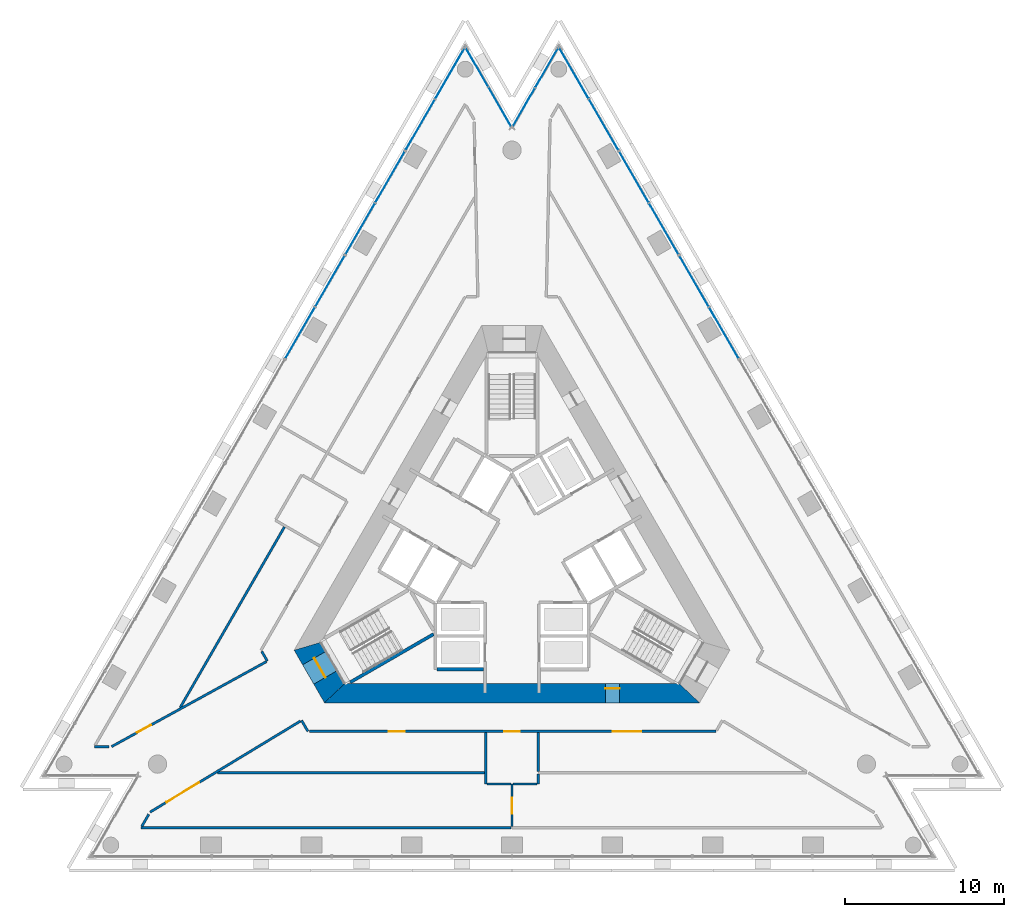
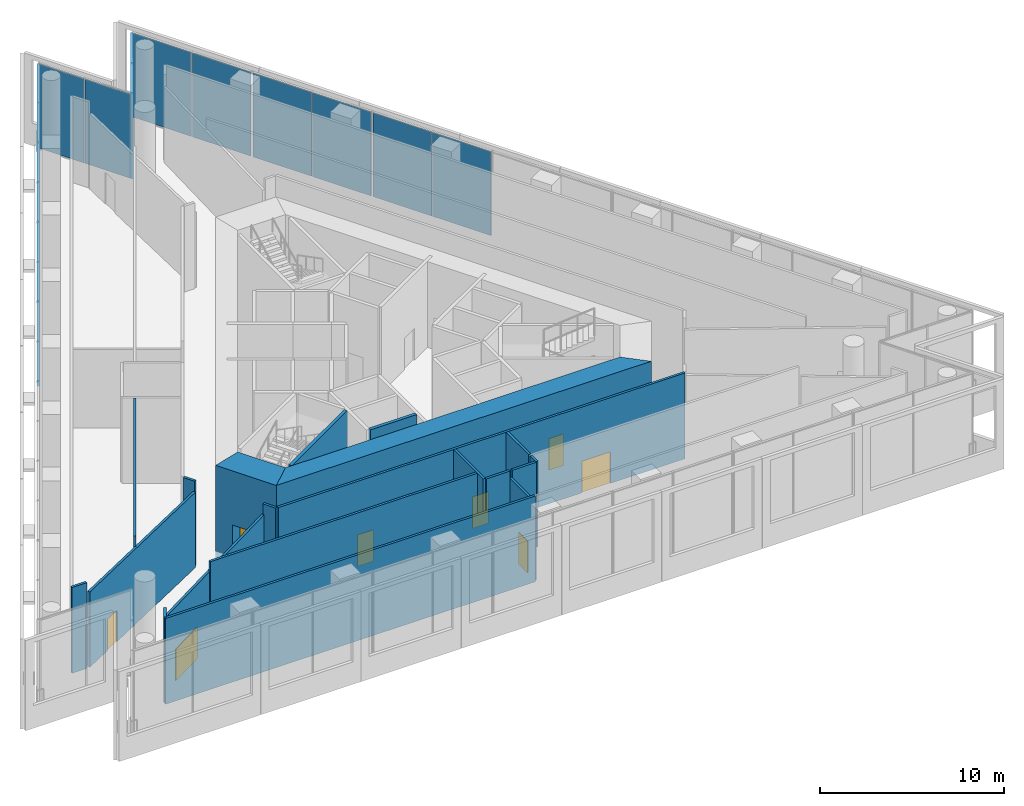
# One storey, part 10 of 18: 20 walls, 16 plates, 8 doors, 8 openings, 8 elements without a shape of their own.
"""IFC4 building model written with IfcOpenShell, lengths in metres."""

from ifc_helpers import new_model, si_unit, direction, frame, frame_2d, origin, origin_2d, place, context, subcontext, project, spatial, polyline, rectangle, outline, extrude, material, layer, layer_set, type_object, element, fill, aggregate, save


model = new_model("IFC4")

# Units and contexts
model_context = context("Model", 3, precision=1e-05, world=origin(), true_north=direction((0.0, 1.0)))
body_context = subcontext(model_context, "Body", "Model", "MODEL_VIEW")
ifc_project = project(units=[si_unit("LENGTHUNIT", "METRE"), si_unit("AREAUNIT", "SQUARE_METRE"), si_unit("VOLUMEUNIT", "CUBIC_METRE"), si_unit("PLANEANGLEUNIT", "RADIAN"), si_unit("MASSUNIT", "GRAM", prefix="KILO")], contexts=[model_context])

# Site, building, storey
site_placement = place(None, origin())
site = spatial("IfcSite", under=ifc_project, at=site_placement, CompositionType="ELEMENT")
building_placement = place(site_placement, origin())
building = spatial("IfcBuilding", under=site, at=building_placement, Name="Triada Interchange Tower", CompositionType="ELEMENT")
storey_placement = place(building_placement, frame((0.0, 0.0, 185.300048828125)))
storey = spatial("IfcBuildingStorey", under=building, at=storey_placement, Name="L43", CompositionType="ELEMENT", Elevation=185.300048828125)

# Curtain wall, plates
ifc_material_1 = material(Name="Aluminium framed glazing", Category="aluminium")
ifc_layer_1 = layer(ifc_material_1, 0.199951171875)
ifc_layer_set_1 = layer_set([ifc_layer_1], Name="Curtain wall Sky lobby glazing")
curtain_wall_type_1 = type_object("IfcCurtainWallType", Name="Curtain wall Sky lobby glazing", PredefinedType="NOTDEFINED", material=ifc_layer_set_1)
curtain_wall_1_placement = place(storey_placement, origin())
curtain_wall_1 = element("IfcCurtainWall", 1, at=curtain_wall_1_placement, inside=storey, type_object=curtain_wall_type_1, Name="Sky lobby glazing CW101 L43", PredefinedType="NOTDEFINED")
ifc_material_2 = material(Name="Insulated glazing unit", Category="glass")
ifc_layer_2 = layer(ifc_material_2, 0.028076171875)
ifc_layer_set_2 = layer_set([ifc_layer_2], Name="Glazing panel Sky lobby glazing 28")
plate_type_1 = type_object("IfcPlateType", Name="Glazing panel Sky lobby glazing 28", PredefinedType="CURTAIN_PANEL", material=ifc_layer_set_2)
plate_1_placement = place(storey_placement, frame((-3.90966796875, 30.51025390625, 0.059814453125), z_axis=(0.0, 0.0, 1.0), x_axis=(-0.500034846248, -0.866005284359, 0.0)))
plate_1 = element("IfcPlate", 2, at=plate_1_placement, type_object=plate_type_1, Name="CW101 panel 1.1", PredefinedType="CURTAIN_PANEL", context=body_context, shape_type="SweptSolid", body=[
    extrude(rectangle(XDim=3.650634765625, YDim=0.028076171875, at=origin_2d()), origin(), (0.0, 0.0, 1.0), 5.580078125),
])
plate_2_placement = place(storey_placement, frame((-5.76513671875, 27.296630859375, 0.059814453125), z_axis=(0.0, 0.0, 1.0), x_axis=(-0.500034846248, -0.866005284359, 0.0)))
plate_2 = element("IfcPlate", 3, at=plate_2_placement, type_object=plate_type_1, Name="CW101 panel 2.1", PredefinedType="CURTAIN_PANEL", context=body_context, shape_type="SweptSolid", body=[
    extrude(rectangle(XDim=3.650634765625, YDim=0.028076171875, at=origin_2d()), origin(), (0.0, 0.0, 1.0), 5.580078125),
])
aggregate(curtain_wall_1, [plate_1, plate_2])

curtain_wall_2_placement = place(storey_placement, origin())
curtain_wall_2 = element("IfcCurtainWall", 4, at=curtain_wall_2_placement, inside=storey, type_object=curtain_wall_type_1, Name="Sky lobby glazing CW102 L43", PredefinedType="NOTDEFINED")
plate_3_placement = place(storey_placement, frame((-7.66259765625, 24.01025390625, 0.059814453125), z_axis=(0.0, 0.0, 1.0), x_axis=(-0.499963655963, -0.866046386007, 0.0)))
plate_3 = element("IfcPlate", 5, at=plate_3_placement, type_object=plate_type_1, Name="CW102 panel 1.1", PredefinedType="CURTAIN_PANEL", context=body_context, shape_type="SweptSolid", body=[
    extrude(rectangle(XDim=3.67822265625, YDim=0.028076171875, at=origin_2d()), origin(), (0.0, 0.0, 1.0), 5.580078125),
])
plate_4_placement = place(storey_placement, frame((-9.531494140625, 20.772705078125, 0.059814453125), z_axis=(0.0, 0.0, 1.0), x_axis=(-0.499963655963, -0.866046386007, 0.0)))
plate_4 = element("IfcPlate", 6, at=plate_4_placement, type_object=plate_type_1, Name="CW102 panel 2.1", PredefinedType="CURTAIN_PANEL", context=body_context, shape_type="SweptSolid", body=[
    extrude(rectangle(XDim=3.67822265625, YDim=0.028076171875, at=origin_2d()), origin(), (0.0, 0.0, 1.0), 5.580078125),
])
aggregate(curtain_wall_2, [plate_3, plate_4])

curtain_wall_3_placement = place(storey_placement, origin())
curtain_wall_3 = element("IfcCurtainWall", 7, at=curtain_wall_3_placement, inside=storey, type_object=curtain_wall_type_1, Name="Sky lobby glazing CW103 L43", PredefinedType="NOTDEFINED")
plate_5_placement = place(storey_placement, frame((-11.435791015625, 17.474609375, 0.059814453125), z_axis=(0.0, 0.0, 1.0), x_axis=(-0.500120627513, -0.865955748255, 0.0)))
plate_5 = element("IfcPlate", 8, at=plate_5_placement, type_object=plate_type_1, Name="CW103 panel 1.1", PredefinedType="CURTAIN_PANEL", context=body_context, shape_type="SweptSolid", body=[
    extrude(rectangle(XDim=3.677978515625, YDim=0.028076171875, at=origin_2d()), origin(), (0.0, 0.0, 1.0), 5.580078125),
])
plate_6_placement = place(storey_placement, frame((-13.30517578125, 14.237548828125, 0.059814453125), z_axis=(0.0, 0.0, 1.0), x_axis=(-0.500120627513, -0.865955748255, 0.0)))
plate_6 = element("IfcPlate", 9, at=plate_6_placement, type_object=plate_type_1, Name="CW103 panel 2.1", PredefinedType="CURTAIN_PANEL", context=body_context, shape_type="SweptSolid", body=[
    extrude(rectangle(XDim=3.677978515625, YDim=0.028076171875, at=origin_2d()), origin(), (0.0, 0.0, 1.0), 5.580078125),
])
aggregate(curtain_wall_3, [plate_5, plate_6])

curtain_wall_4_placement = place(storey_placement, origin())
curtain_wall_4 = element("IfcCurtainWall", 10, at=curtain_wall_4_placement, inside=storey, type_object=curtain_wall_type_1, Name="Sky lobby glazing CW123 L43", PredefinedType="NOTDEFINED")
plate_7_placement = place(storey_placement, frame((13.305419921875, 14.23779296875, 0.059814453125), z_axis=(0.0, 0.0, 1.0), x_axis=(-0.499963655963, 0.866046386007, 0.0)))
plate_7 = element("IfcPlate", 11, at=plate_7_placement, type_object=plate_type_1, Name="CW123 panel 1.1", PredefinedType="CURTAIN_PANEL", context=body_context, shape_type="SweptSolid", body=[
    extrude(rectangle(XDim=3.67822265625, YDim=0.028076171875, at=origin_2d()), origin(), (0.0, 0.0, 1.0), 5.580078125),
])
plate_8_placement = place(storey_placement, frame((11.4365234375, 17.475341796875, 0.059814453125), z_axis=(0.0, 0.0, 1.0), x_axis=(-0.499963655963, 0.866046386007, 0.0)))
plate_8 = element("IfcPlate", 12, at=plate_8_placement, type_object=plate_type_1, Name="CW123 panel 2.1", PredefinedType="CURTAIN_PANEL", context=body_context, shape_type="SweptSolid", body=[
    extrude(rectangle(XDim=3.67822265625, YDim=0.028076171875, at=origin_2d()), origin(), (0.0, 0.0, 1.0), 5.580078125),
])
aggregate(curtain_wall_4, [plate_7, plate_8])

curtain_wall_5_placement = place(storey_placement, origin())
curtain_wall_5 = element("IfcCurtainWall", 13, at=curtain_wall_5_placement, inside=storey, type_object=curtain_wall_type_1, Name="Sky lobby glazing CW124 L43", PredefinedType="NOTDEFINED")
plate_9_placement = place(storey_placement, frame((9.5322265625, 20.772705078125, 0.059814453125), z_axis=(0.0, 0.0, 1.0), x_axis=(-0.500063165941, 0.86598893184, 0.0)))
plate_9 = element("IfcPlate", 14, at=plate_9_placement, type_object=plate_type_1, Name="CW124 panel 1.1", PredefinedType="CURTAIN_PANEL", context=body_context, shape_type="SweptSolid", body=[
    extrude(rectangle(XDim=3.678466796875, YDim=0.028076171875, at=origin_2d()), origin(), (0.0, 0.0, 1.0), 5.580078125),
])
plate_10_placement = place(storey_placement, frame((7.662841796875, 24.01025390625, 0.059814453125), z_axis=(0.0, 0.0, 1.0), x_axis=(-0.500063165941, 0.86598893184, 0.0)))
plate_10 = element("IfcPlate", 15, at=plate_10_placement, type_object=plate_type_1, Name="CW124 panel 2.1", PredefinedType="CURTAIN_PANEL", context=body_context, shape_type="SweptSolid", body=[
    extrude(rectangle(XDim=3.678466796875, YDim=0.028076171875, at=origin_2d()), origin(), (0.0, 0.0, 1.0), 5.580078125),
])
aggregate(curtain_wall_5, [plate_9, plate_10])

curtain_wall_6_placement = place(storey_placement, origin())
curtain_wall_6 = element("IfcCurtainWall", 16, at=curtain_wall_6_placement, inside=storey, type_object=curtain_wall_type_1, Name="Sky lobby glazing CW125 L43", PredefinedType="NOTDEFINED")
plate_11_placement = place(storey_placement, frame((5.7578125, 27.309814453125, 0.059814453125), z_axis=(0.0, 0.0, 1.0), x_axis=(-0.500032359736, 0.866006720076, 0.0)))
plate_11 = element("IfcPlate", 17, at=plate_11_placement, type_object=plate_type_1, Name="CW125 panel 1.1", PredefinedType="CURTAIN_PANEL", context=body_context, shape_type="SweptSolid", body=[
    extrude(rectangle(XDim=3.6806640625, YDim=0.028076171875, at=origin_2d()), origin(), (0.0, 0.0, 1.0), 5.580078125),
])
plate_12_placement = place(storey_placement, frame((3.88720703125, 30.54931640625, 0.059814453125), z_axis=(0.0, 0.0, 1.0), x_axis=(-0.500032359736, 0.866006720076, 0.0)))
plate_12 = element("IfcPlate", 18, at=plate_12_placement, type_object=plate_type_1, Name="CW125 panel 2.1", PredefinedType="CURTAIN_PANEL", context=body_context, shape_type="SweptSolid", body=[
    extrude(rectangle(XDim=3.6806640625, YDim=0.028076171875, at=origin_2d()), origin(), (0.0, 0.0, 1.0), 5.580078125),
])
aggregate(curtain_wall_6, [plate_11, plate_12])

ifc_layer_3 = layer(ifc_material_1, 0.199951171875)
ifc_layer_set_3 = layer_set([ifc_layer_3], Name="Curtain wall Winter garden glazing")
curtain_wall_type_2 = type_object("IfcCurtainWallType", Name="Curtain wall Winter garden glazing", PredefinedType="NOTDEFINED", material=ifc_layer_set_3)
curtain_wall_7_placement = place(storey_placement, origin())
curtain_wall_7 = element("IfcCurtainWall", 19, at=curtain_wall_7_placement, inside=storey, type_object=curtain_wall_type_2, Name="Winter garden glazing CW126 L43", PredefinedType="NOTDEFINED")
ifc_layer_4 = layer(ifc_material_2, 0.02392578125)
ifc_layer_set_4 = layer_set([ifc_layer_4], Name="Glazing panel Winter garden glazing 24")
plate_type_2 = type_object("IfcPlateType", Name="Glazing panel Winter garden glazing 24", PredefinedType="CURTAIN_PANEL", material=ifc_layer_set_4)
plate_13_placement = place(storey_placement, frame((2.174072265625, 30.87353515625, 0.0498046875), z_axis=(0.0, 0.0, 1.0), x_axis=(-0.500005339907, -0.866022320766, 0.0)))
plate_13 = element("IfcPlate", 20, at=plate_13_placement, type_object=plate_type_2, Name="CW126 panel 1.1", PredefinedType="CURTAIN_PANEL", context=body_context, shape_type="SweptSolid", body=[
    extrude(rectangle(XDim=2.83203125, YDim=0.02392578125, at=origin_2d()), origin(), (0.0, 0.0, 1.0), 5.60009765625),
])
plate_14_placement = place(storey_placement, frame((0.73291015625, 28.377685546875, 0.0498046875), z_axis=(0.0, 0.0, 1.0), x_axis=(-0.500005339907, -0.866022320766, 0.0)))
plate_14 = element("IfcPlate", 21, at=plate_14_placement, type_object=plate_type_2, Name="CW126 panel 2.1", PredefinedType="CURTAIN_PANEL", context=body_context, shape_type="SweptSolid", body=[
    extrude(rectangle(XDim=2.83203125, YDim=0.02392578125, at=origin_2d()), origin(), (0.0, 0.0, 1.0), 5.60009765625),
])
aggregate(curtain_wall_7, [plate_13, plate_14])

curtain_wall_8_placement = place(storey_placement, origin())
curtain_wall_8 = element("IfcCurtainWall", 22, at=curtain_wall_8_placement, inside=storey, type_object=curtain_wall_type_2, Name="Winter garden glazing CW127 L43", PredefinedType="NOTDEFINED")
plate_15_placement = place(storey_placement, frame((-0.762939453125, 28.4296875, 0.0498046875), z_axis=(0.0, 0.0, 1.0), x_axis=(-0.500005339907, 0.866022320766, 0.0)))
plate_15 = element("IfcPlate", 23, at=plate_15_placement, type_object=plate_type_2, Name="CW127 panel 1.1", PredefinedType="CURTAIN_PANEL", context=body_context, shape_type="SweptSolid", body=[
    extrude(rectangle(XDim=2.83203125, YDim=0.02392578125, at=origin_2d()), origin(), (0.0, 0.0, 1.0), 5.60009765625),
])
plate_16_placement = place(storey_placement, frame((-2.2041015625, 30.925537109375, 0.0498046875), z_axis=(0.0, 0.0, 1.0), x_axis=(-0.500005339907, 0.866022320766, 0.0)))
plate_16 = element("IfcPlate", 24, at=plate_16_placement, type_object=plate_type_2, Name="CW127 panel 2.1", PredefinedType="CURTAIN_PANEL", context=body_context, shape_type="SweptSolid", body=[
    extrude(rectangle(XDim=2.83203125, YDim=0.02392578125, at=origin_2d()), origin(), (0.0, 0.0, 1.0), 5.60009765625),
])
aggregate(curtain_wall_8, [plate_15, plate_16])

# Walls
ifc_material_3 = material(Name="Concrete C30/37", Category="concrete")
ifc_layer_5 = layer(ifc_material_3, 0.199951171875)
ifc_layer_set_5 = layer_set([ifc_layer_5], Name="CORE WALL 200 EI 120")
wall_type_1 = type_object("IfcWallType", Name="CORE WALL 200 EI 120", PredefinedType="SOLIDWALL", material=ifc_layer_set_5)
wall_1_placement = place(storey_placement, frame((-4.699951171875, -6.89990234375, 0.0), z_axis=(0.0, 0.0, 1.0), x_axis=(1.0, 0.0, 0.0)))
element("IfcWall", 25, at=wall_1_placement, inside=storey, type_object=wall_type_1, Name="Wall L43 49", PredefinedType="SOLIDWALL", context=body_context, shape_type="SweptSolid", body=[
    extrude(rectangle(XDim=2.89990234375, YDim=0.199951171875, at=frame_2d((1.449951171875, 0.0))), origin(), (0.0, 0.0, 1.0), 5.699951171875),
])
ifc_layer_6 = layer(ifc_material_3, 0.199951171875)
ifc_layer_set_6 = layer_set([ifc_layer_6], Name="CORE WALL 200 REI 240")
wall_type_2 = type_object("IfcWallType", Name="CORE WALL 200 REI 240", PredefinedType="SOLIDWALL", material=ifc_layer_set_6)
wall_2_placement = place(storey_placement, frame((-10.159912109375, -7.712890625, 0.0), z_axis=(0.0, 0.0, 1.0), x_axis=(0.866048276411, 0.499960381356, 0.0)))
element("IfcWall", 26, at=wall_2_placement, inside=storey, type_object=wall_type_2, Name="Wall L43 83", PredefinedType="SOLIDWALL", context=body_context, shape_type="SweptSolid", body=[
    extrude(rectangle(XDim=6.0400390625, YDim=0.199951171875, at=frame_2d((3.02001953125, 0.0))), origin(), (0.0, 0.0, 1.0), 5.699951171875),
])

# Wall, opening, door
ifc_material_4 = material(Name="Concrete C60/75", Category="concrete")
ifc_layer_7 = layer(ifc_material_4, 1.199951171875)
ifc_layer_set_7 = layer_set([ifc_layer_7], Name="Core wall B 1200")
wall_type_3 = type_object("IfcWallType", Name="Core wall B 1200", PredefinedType="SHEAR", material=ifc_layer_set_7)
wall_3_placement = place(storey_placement, frame((-11.14306640625, -8.39990234375, -0.60009765625), z_axis=(0.0, 0.0, 1.0), x_axis=(1.0, 0.0, 0.0)))
wall_3 = element("IfcWall", 27, at=wall_3_placement, inside=storey, type_object=wall_type_3, Name="Core wall WB10 L43", PredefinedType="SHEAR", context=body_context, shape_type="SweptSolid", body=[
    extrude(outline(polyline([(-0.635009765625, -0.60009765625), (1.327880859375, -0.60009765625), (3.291015625, -0.60009765625), (5.25390625, -0.60009765625), (7.217041015625, -0.60009765625), (9.179931640625, -0.60009765625), (11.14306640625, -0.60009765625), (13.10595703125, -0.60009765625), (15.06884765625, -0.60009765625), (17.031982421875, -0.60009765625), (18.994873046875, -0.60009765625), (20.9580078125, -0.60009765625), (22.9208984375, -0.60009765625), (21.65087890625, 0.60009765625), (19.740234375, 0.60009765625), (17.829833984375, 0.60009765625), (15.919189453125, 0.60009765625), (14.0087890625, 0.60009765625), (12.09814453125, 0.60009765625), (10.187744140625, 0.60009765625), (8.277099609375, 0.60009765625), (6.36669921875, 0.60009765625), (4.4560546875, 0.60009765625), (2.545654296875, 0.60009765625), (0.635009765625, 0.60009765625), (-0.635009765625, -0.60009765625)])), origin(), (0.0, 0.0, 1.0), 6.300048828125),
])
opening_1_placement = place(wall_3_placement, frame((17.001953125, 0.0, 0.60009765625)))
opening_1 = element("IfcOpeningElement", 28, at=opening_1_placement, cuts=wall_3, Name="Opening D43-30", PredefinedType="OPENING", context=body_context, shape_type="SweptSolid", body=[
    extrude(rectangle(XDim=0.89990234375, YDim=2.10009765625, at=frame_2d((0.449951171875, 1.050048828125))), frame((0.0, 0.610107421875, 0.0), z_axis=(0.0, -1.0, 0.0), x_axis=(1.0, 0.0, 0.0)), (0.0, 0.0, 1.0), 1.22021484375),
])
ifc_material_5 = material(Name="Steel S235 door leaf", Category="steel")
door_type_1 = type_object("IfcDoorType", Name="SERVICE DOOR 900 EI2 45-C5S200", OperationType="NOTDEFINED", PredefinedType="DOOR", material=ifc_material_5)
door_1_placement = place(opening_1_placement, origin())
door_1 = element("IfcDoor", 29, at=door_1_placement, inside=storey, type_object=door_type_1, Name="Door D43-30 L43", OperationType="SINGLE_SWING_LEFT", OverallHeight=2.10009765625, OverallWidth=0.89990234375, PredefinedType="DOOR", context=body_context, shape_type="SweptSolid", body=[
    extrude(rectangle(XDim=0.89990234375, YDim=2.10009765625, at=frame_2d((0.449951171875, 1.050048828125))), frame((0.0, 0.3251953125, 0.0), z_axis=(0.0, -1.0, 0.0), x_axis=(1.0, 0.0, 0.0)), (0.0, 0.0, 1.0), 0.050048828125),
])
fill(opening_1, door_1)

ifc_layer_8 = layer(ifc_material_4, 1.699951171875)
ifc_layer_set_8 = layer_set([ifc_layer_8], Name="Core wall B 1700")
wall_type_4 = type_object("IfcWallType", Name="Core wall B 1700", PredefinedType="SHEAR", material=ifc_layer_set_8)
wall_4_placement = place(storey_placement, frame((-12.845947265625, -5.449951171875, -0.60009765625), z_axis=(0.0, 0.0, 1.0), x_axis=(0.499939613464, -0.86606026516, 0.0)))
wall_4 = element("IfcWall", 30, at=wall_4_placement, inside=storey, type_object=wall_type_4, Name="Core wall WB09 L43", PredefinedType="SHEAR", context=body_context, shape_type="SweptSolid", body=[
    extrude(outline(polyline([(-0.201904296875, -0.85009765625), (1.703125, -0.85009765625), (3.60791015625, -0.85009765625), (3.2041015625, 0.85009765625), (1.703125, 0.85009765625), (0.201904296875, 0.85009765625), (-0.201904296875, -0.85009765625)])), origin(), (0.0, 0.0, 1.0), 6.300048828125),
])
opening_2_placement = place(wall_4_placement, frame((0.85888671875, 0.0, 0.60009765625)))
opening_2 = element("IfcOpeningElement", 31, at=opening_2_placement, cuts=wall_4, Name="Opening D43-27", PredefinedType="OPENING", context=body_context, shape_type="SweptSolid", body=[
    extrude(rectangle(XDim=1.39990234375, YDim=2.10009765625, at=frame_2d((0.699951171875, 1.050048828125))), frame((0.0, 0.860107421875, 0.0), z_axis=(0.0, -1.0, 0.0), x_axis=(1.0, 0.0, 0.0)), (0.0, 0.0, 1.0), 1.72021484375),
])
door_type_2 = type_object("IfcDoorType", Name="STAIR DOOR 1400 EI2 90-C5S200", OperationType="DOUBLE_DOOR_SINGLE_SWING", PredefinedType="DOOR", material=ifc_material_5)
door_2_placement = place(opening_2_placement, origin())
door_2 = element("IfcDoor", 32, at=door_2_placement, inside=storey, type_object=door_type_2, Name="Door D43-27 L43", OperationType="DOUBLE_DOOR_SINGLE_SWING", OverallHeight=2.10009765625, OverallWidth=1.39990234375, PredefinedType="DOOR", context=body_context, shape_type="SweptSolid", body=[
    extrude(rectangle(XDim=1.39990234375, YDim=2.10009765625, at=frame_2d((0.699951171875, 1.050048828125))), frame((0.0, 0.02490234375, 0.0), z_axis=(0.0, -1.0, 0.0), x_axis=(1.0, 0.0, 0.0)), (0.0, 0.0, 1.0), 0.050048828125),
])
fill(opening_2, door_2)

# Walls
ifc_material_6 = material(Name="Gypsum board partition")
ifc_layer_9 = layer(ifc_material_6, 0.14990234375)
ifc_layer_set_9 = layer_set([ifc_layer_9], Name="PARTITION 150")
wall_type_5 = type_object("IfcWallType", Name="PARTITION 150", PredefinedType="PARTITIONING", material=ifc_layer_set_9)
wall_5_placement = place(storey_placement, frame((-1.64990234375, -14.10009765625, 0.0), z_axis=(0.0, 0.0, 1.0), x_axis=(0.0, 1.0, 0.0)))
element("IfcWall", 33, at=wall_5_placement, inside=storey, type_object=wall_type_5, Name="Wall L43 39", PredefinedType="PARTITIONING", context=body_context, shape_type="SweptSolid", body=[
    extrude(rectangle(XDim=3.22509765625, YDim=0.14990234375, at=frame_2d((1.612548828125, 0.0))), origin(), (0.0, 0.0, 1.0), 5.699951171875),
])
wall_6_placement = place(storey_placement, frame((-1.574951171875, -14.10009765625, 0.0), z_axis=(0.0, 0.0, 1.0), x_axis=(1.0, 0.0, 0.0)))
element("IfcWall", 34, at=wall_6_placement, inside=storey, type_object=wall_type_5, Name="Wall L43 40", PredefinedType="PARTITIONING", context=body_context, shape_type="SweptSolid", body=[
    extrude(rectangle(XDim=1.501953125, YDim=0.14990234375, at=frame_2d((0.7509765625, 0.0))), origin(), (0.0, 0.0, 1.0), 5.699951171875),
])
wall_7_placement = place(storey_placement, frame((1.64990234375, -13.326904296875, 0.0), z_axis=(0.0, 0.0, 1.0), x_axis=(0.0, 1.0, 0.0)))
element("IfcWall", 35, at=wall_7_placement, inside=storey, type_object=wall_type_5, Name="Wall L43 41", PredefinedType="PARTITIONING", context=body_context, shape_type="SweptSolid", body=[
    extrude(rectangle(XDim=2.451904296875, YDim=0.14990234375, at=frame_2d((1.22607421875, 0.0))), origin(), (0.0, 0.0, 1.0), 5.699951171875),
])

# Wall, opening, door
ifc_layer_10 = layer(ifc_material_6, 0.14990234375)
ifc_layer_set_10 = layer_set([ifc_layer_10], Name="PARTITION 150 EI 180")
wall_type_6 = type_object("IfcWallType", Name="PARTITION 150 EI 180", PredefinedType="PARTITIONING", material=ifc_layer_set_10)
wall_8_placement = place(storey_placement, frame((0.0, -16.76611328125, 0.0), z_axis=(0.0, 0.0, 1.0), x_axis=(0.0, 1.0, 0.0)))
wall_8 = element("IfcWall", 36, at=wall_8_placement, inside=storey, type_object=wall_type_6, Name="Wall L43 4", PredefinedType="PARTITIONING", context=body_context, shape_type="SweptSolid", body=[
    extrude(rectangle(XDim=2.666015625, YDim=0.14990234375, at=frame_2d((1.3330078125, 0.0))), origin(), (0.0, 0.0, 1.0), 5.199951171875),
])
opening_3_placement = place(wall_8_placement, frame((0.794921875, 0.0, 0.0)))
opening_3 = element("IfcOpeningElement", 37, at=opening_3_placement, cuts=wall_8, Name="Opening D43-20", PredefinedType="OPENING", context=body_context, shape_type="SweptSolid", body=[
    extrude(rectangle(XDim=1.0, YDim=2.10009765625, at=frame_2d((0.5, 1.050048828125))), frame((0.0, 0.0849609375, 0.0), z_axis=(0.0, -1.0, 0.0), x_axis=(1.0, 0.0, 0.0)), (0.0, 0.0, 1.0), 0.169921875),
])
door_type_3 = type_object("IfcDoorType", Name="ROOM DOOR 1000 EI2 45-C5S200", OperationType="NOTDEFINED", PredefinedType="DOOR", material=ifc_material_5)
door_3_placement = place(opening_3_placement, origin())
door_3 = element("IfcDoor", 38, at=door_3_placement, inside=storey, type_object=door_type_3, Name="Door D43-20 L43", OperationType="SINGLE_SWING_RIGHT", OverallHeight=2.10009765625, OverallWidth=1.0, PredefinedType="DOOR", context=body_context, shape_type="SweptSolid", body=[
    extrude(rectangle(XDim=1.0, YDim=2.10009765625, at=frame_2d((0.5, 1.050048828125))), frame((0.0, 0.02490234375, 0.0), z_axis=(0.0, -1.0, 0.0), x_axis=(1.0, 0.0, 0.0)), (0.0, 0.0, 1.0), 0.050048828125),
])
fill(opening_3, door_3)

# Walls
wall_9_placement = place(storey_placement, frame((1.64990234375, -14.10009765625, 0.0), z_axis=(0.0, 0.0, 1.0), x_axis=(0.0, 1.0, 0.0)))
element("IfcWall", 39, at=wall_9_placement, inside=storey, type_object=wall_type_6, Name="Wall L43 6", PredefinedType="PARTITIONING", context=body_context, shape_type="SweptSolid", body=[
    extrude(rectangle(XDim=0.625, YDim=0.14990234375, at=frame_2d((0.3125, 0.0))), origin(), (0.0, 0.0, 1.0), 5.699951171875),
])
wall_10_placement = place(storey_placement, frame((0.074951171875, -14.10009765625, 0.0), z_axis=(0.0, 0.0, 1.0), x_axis=(1.0, 0.0, 0.0)))
element("IfcWall", 40, at=wall_10_placement, inside=storey, type_object=wall_type_6, Name="Wall L43 7", PredefinedType="PARTITIONING", context=body_context, shape_type="SweptSolid", body=[
    extrude(rectangle(XDim=1.5, YDim=0.14990234375, at=frame_2d((0.75, 0.0))), origin(), (0.0, 0.0, 1.0), 5.699951171875),
])
ifc_layer_11 = layer(ifc_material_6, 0.14990234375)
ifc_layer_set_11 = layer_set([ifc_layer_11], Name="PARTITION 150 EI 90")
wall_type_7 = type_object("IfcWallType", Name="PARTITION 150 EI 90", PredefinedType="PARTITIONING", material=ifc_layer_set_11)
wall_11_placement = place(storey_placement, frame((-15.718017578125, -5.77490234375, 0.0), z_axis=(0.0, 0.0, 1.0), x_axis=(0.499351643437, -0.866399409162, 0.0)))
element("IfcWall", 41, at=wall_11_placement, inside=storey, type_object=wall_type_7, Name="Wall L43 19", PredefinedType="PARTITIONING", context=body_context, shape_type="SweptSolid", body=[
    extrude(rectangle(XDim=0.703125, YDim=0.14990234375, at=frame_2d((0.3515625, 0.0))), origin(), (0.0, 0.0, 1.0), 5.699951171875),
])
wall_12_placement = place(storey_placement, frame((-13.217041015625, -10.10791015625, 0.0), z_axis=(0.0, 0.0, 1.0), x_axis=(0.500506525424, -0.865732763622, 0.0)))
element("IfcWall", 42, at=wall_12_placement, inside=storey, type_object=wall_type_7, Name="Wall L43 20", PredefinedType="PARTITIONING", context=body_context, shape_type="SweptSolid", body=[
    extrude(rectangle(XDim=0.799560546875, YDim=0.14990234375, at=frame_2d((0.39990234375, 0.0))), origin(), (0.0, 0.0, 1.0), 5.699951171875),
])

# Wall, opening, door
wall_13_placement = place(storey_placement, frame((-25.14794921875, -11.75390625, 0.0), z_axis=(0.0, 0.0, 1.0), x_axis=(0.876565430859, 0.481282708419, 0.0)))
wall_13 = element("IfcWall", 43, at=wall_13_placement, inside=storey, type_object=wall_type_7, Name="Wall L43 21", PredefinedType="PARTITIONING", context=body_context, shape_type="SweptSolid", body=[
    extrude(rectangle(XDim=11.082763671875, YDim=0.14990234375, at=frame_2d((5.54150390625, 0.0))), origin(), (0.0, 0.0, 1.0), 5.0),
])
opening_4_placement = place(wall_13_placement, frame((1.824951171875, 0.0, 0.0)))
opening_4 = element("IfcOpeningElement", 44, at=opening_4_placement, cuts=wall_13, Name="Opening D43-24", PredefinedType="OPENING", context=body_context, shape_type="SweptSolid", body=[
    extrude(rectangle(XDim=1.0, YDim=2.10009765625, at=frame_2d((0.5, 1.050048828125))), frame((0.0, 0.0849609375, 0.0), z_axis=(0.0, -1.0, 0.0), x_axis=(1.0, 0.0, 0.0)), (0.0, 0.0, 1.0), 0.169921875),
])
door_type_4 = type_object("IfcDoorType", Name="ROOM DOOR 1000 EI2 90-C5S200", OperationType="NOTDEFINED", PredefinedType="DOOR", material=ifc_material_5)
door_4_placement = place(opening_4_placement, origin())
door_4 = element("IfcDoor", 45, at=door_4_placement, inside=storey, type_object=door_type_4, Name="Door D43-24 L43", OperationType="SINGLE_SWING_RIGHT", OverallHeight=2.10009765625, OverallWidth=1.0, PredefinedType="DOOR", context=body_context, shape_type="SweptSolid", body=[
    extrude(rectangle(XDim=1.0, YDim=2.10009765625, at=frame_2d((0.5, 1.050048828125))), frame((0.0, 0.02490234375, 0.0), z_axis=(0.0, -1.0, 0.0), x_axis=(1.0, 0.0, 0.0)), (0.0, 0.0, 1.0), 0.050048828125),
])
fill(opening_4, door_4)

# Walls
wall_14_placement = place(storey_placement, frame((-20.845947265625, -9.306884765625, 0.0), z_axis=(0.0, 0.0, 1.0), x_axis=(0.499999225185, 0.866025851124, 0.0)))
element("IfcWall", 46, at=wall_14_placement, inside=storey, type_object=wall_type_7, Name="Wall L43 22", PredefinedType="PARTITIONING", context=body_context, shape_type="SweptSolid", body=[
    extrude(rectangle(XDim=13.10791015625, YDim=0.14990234375, at=frame_2d((6.553955078125, 0.0))), origin(), (0.0, 0.0, 1.0), 5.699951171875),
])
wall_15_placement = place(storey_placement, frame((-26.23291015625, -11.75390625, 0.0), z_axis=(0.0, 0.0, 1.0), x_axis=(1.0, 0.0, 0.0)))
element("IfcWall", 47, at=wall_15_placement, inside=storey, type_object=wall_type_7, Name="Wall L43 24", PredefinedType="PARTITIONING", context=body_context, shape_type="SweptSolid", body=[
    extrude(rectangle(XDim=0.929931640625, YDim=0.14990234375, at=frame_2d((0.46484375, 0.0))), origin(), (0.0, 0.0, 1.0), 5.699951171875),
])

# Wall, opening, door
wall_16_placement = place(storey_placement, frame((-22.737060546875, -15.8720703125, 0.0), z_axis=(0.0, 0.0, 1.0), x_axis=(0.85539296063, 0.517979616302, 0.0)))
wall_16 = element("IfcWall", 48, at=wall_16_placement, inside=storey, type_object=wall_type_7, Name="Wall L43 26", PredefinedType="PARTITIONING", context=body_context, shape_type="SweptSolid", body=[
    extrude(rectangle(XDim=11.0546875, YDim=0.14990234375, at=frame_2d((5.52734375, 0.0))), origin(), (0.0, 0.0, 1.0), 5.0),
])
opening_5_placement = place(wall_16_placement, frame((1.199951171875, 0.0, 0.0)))
opening_5 = element("IfcOpeningElement", 49, at=opening_5_placement, cuts=wall_16, Name="Opening D43-19", PredefinedType="OPENING", context=body_context, shape_type="SweptSolid", body=[
    extrude(rectangle(XDim=2.39990234375, YDim=2.10009765625, at=frame_2d((1.199951171875, 1.050048828125))), frame((0.0, 0.0849609375, 0.0), z_axis=(0.0, -1.0, 0.0), x_axis=(1.0, 0.0, 0.0)), (0.0, 0.0, 1.0), 0.169921875),
])
door_type_5 = type_object("IfcDoorType", Name="SHOP AND HALL ENTRANCE DOOR 2400 EI2 90-C5S200", OperationType="DOUBLE_DOOR_SINGLE_SWING", PredefinedType="DOOR", material=ifc_material_5)
door_5_placement = place(opening_5_placement, origin())
door_5 = element("IfcDoor", 50, at=door_5_placement, inside=storey, type_object=door_type_5, Name="Door D43-19 L43", OperationType="DOUBLE_DOOR_SINGLE_SWING", OverallHeight=2.10009765625, OverallWidth=2.39990234375, PredefinedType="DOOR", context=body_context, shape_type="SweptSolid", body=[
    extrude(rectangle(XDim=2.39990234375, YDim=2.10009765625, at=frame_2d((1.199951171875, 1.050048828125))), frame((0.0, 0.02490234375, 0.0), z_axis=(0.0, -1.0, 0.0), x_axis=(1.0, 0.0, 0.0)), (0.0, 0.0, 1.0), 0.050048828125),
])
fill(opening_5, door_5)

# Wall, openings, doors
wall_17_placement = place(storey_placement, frame((-12.73095703125, -10.800048828125, 0.0), z_axis=(0.0, 0.0, 1.0), x_axis=(1.0, 0.0, 0.0)))
wall_17 = element("IfcWall", 51, at=wall_17_placement, inside=storey, type_object=wall_type_7, Name="Wall L43 27", PredefinedType="PARTITIONING", context=body_context, shape_type="SweptSolid", body=[
    extrude(rectangle(XDim=25.5478515625, YDim=0.14990234375, at=frame_2d((12.77392578125, 0.0))), origin(), (0.0, 0.0, 1.0), 5.699951171875),
])
opening_6_placement = place(wall_17_placement, frame((12.23095703125, 0.0, 0.0)))
opening_6 = element("IfcOpeningElement", 52, at=opening_6_placement, cuts=wall_17, Name="Opening D43-13", PredefinedType="OPENING", context=body_context, shape_type="SweptSolid", body=[
    extrude(rectangle(XDim=1.0, YDim=2.10009765625, at=frame_2d((0.5, 1.050048828125))), frame((0.0, 0.0849609375, 0.0), z_axis=(0.0, -1.0, 0.0), x_axis=(1.0, 0.0, 0.0)), (0.0, 0.0, 1.0), 0.169921875),
])
opening_7_placement = place(wall_17_placement, frame((4.9970703125, 0.0, 0.0)))
opening_7 = element("IfcOpeningElement", 53, at=opening_7_placement, cuts=wall_17, Name="Opening D43-17", PredefinedType="OPENING", context=body_context, shape_type="SweptSolid", body=[
    extrude(rectangle(XDim=1.0, YDim=2.10009765625, at=frame_2d((0.5, 1.050048828125))), frame((0.0, 0.0849609375, 0.0), z_axis=(0.0, -1.0, 0.0), x_axis=(1.0, 0.0, 0.0)), (0.0, 0.0, 1.0), 0.169921875),
])
opening_8_placement = place(wall_17_placement, frame((19.06494140625, 0.0, 0.0)))
opening_8 = element("IfcOpeningElement", 54, at=opening_8_placement, cuts=wall_17, Name="Opening D43-18", PredefinedType="OPENING", context=body_context, shape_type="SweptSolid", body=[
    extrude(rectangle(XDim=1.800048828125, YDim=2.10009765625, at=frame_2d((0.89990234375, 1.050048828125))), frame((0.0, 0.0849609375, 0.0), z_axis=(0.0, -1.0, 0.0), x_axis=(1.0, 0.0, 0.0)), (0.0, 0.0, 1.0), 0.169921875),
])
door_6_placement = place(opening_6_placement, origin())
door_6 = element("IfcDoor", 55, at=door_6_placement, inside=storey, type_object=door_type_3, Name="Door D43-13 L43", OperationType="SINGLE_SWING_LEFT", OverallHeight=2.10009765625, OverallWidth=1.0, PredefinedType="DOOR", context=body_context, shape_type="SweptSolid", body=[
    extrude(rectangle(XDim=1.0, YDim=2.10009765625, at=frame_2d((0.5, 1.050048828125))), frame((0.0, 0.02490234375, 0.0), z_axis=(0.0, -1.0, 0.0), x_axis=(1.0, 0.0, 0.0)), (0.0, 0.0, 1.0), 0.050048828125),
])
fill(opening_6, door_6)
door_7_placement = place(opening_7_placement, origin())
door_7 = element("IfcDoor", 56, at=door_7_placement, inside=storey, type_object=door_type_3, Name="Door D43-17 L43", OperationType="SINGLE_SWING_RIGHT", OverallHeight=2.10009765625, OverallWidth=1.0, PredefinedType="DOOR", context=body_context, shape_type="SweptSolid", body=[
    extrude(rectangle(XDim=1.0, YDim=2.10009765625, at=frame_2d((0.5, 1.050048828125))), frame((0.0, 0.02490234375, 0.0), z_axis=(0.0, -1.0, 0.0), x_axis=(1.0, 0.0, 0.0)), (0.0, 0.0, 1.0), 0.050048828125),
])
fill(opening_7, door_7)
door_type_6 = type_object("IfcDoorType", Name="SHOP AND HALL ENTRANCE DOOR 1800 EI2 45-C5S200", OperationType="DOUBLE_DOOR_SINGLE_SWING", PredefinedType="DOOR", material=ifc_material_5)
door_8_placement = place(opening_8_placement, origin())
door_8 = element("IfcDoor", 57, at=door_8_placement, inside=storey, type_object=door_type_6, Name="Door D43-18 L43", OperationType="DOUBLE_DOOR_SINGLE_SWING", OverallHeight=2.10009765625, OverallWidth=1.800048828125, PredefinedType="DOOR", context=body_context, shape_type="SweptSolid", body=[
    extrude(rectangle(XDim=1.800048828125, YDim=2.10009765625, at=frame_2d((0.89990234375, 1.050048828125))), frame((0.0, 0.02490234375, 0.0), z_axis=(0.0, -1.0, 0.0), x_axis=(1.0, 0.0, 0.0)), (0.0, 0.0, 1.0), 0.050048828125),
])
fill(opening_8, door_8)

# Walls
wall_18_placement = place(storey_placement, frame((-23.2958984375, -16.841064453125, 0.0), z_axis=(0.0, 0.0, 1.0), x_axis=(1.0, 0.0, 0.0)))
element("IfcWall", 58, at=wall_18_placement, inside=storey, type_object=wall_type_7, Name="Wall L43 28", PredefinedType="PARTITIONING", context=body_context, shape_type="SweptSolid", body=[
    extrude(rectangle(XDim=23.220947265625, YDim=0.14990234375, at=frame_2d((11.6103515625, 0.0))), origin(), (0.0, 0.0, 1.0), 5.699951171875),
])
wall_19_placement = place(storey_placement, frame((-23.2529296875, -16.76611328125, 0.0), z_axis=(0.0, 0.0, 1.0), x_axis=(0.500630112967, 0.865661302121, 0.0)))
element("IfcWall", 59, at=wall_19_placement, inside=storey, type_object=wall_type_7, Name="Wall L43 29", PredefinedType="PARTITIONING", context=body_context, shape_type="SweptSolid", body=[
    extrude(rectangle(XDim=0.876708984375, YDim=0.14990234375, at=frame_2d((0.4384765625, 0.0))), origin(), (0.0, 0.0, 1.0), 5.699951171875),
])
wall_20_placement = place(storey_placement, frame((-18.509033203125, -13.39990234375, 0.0), z_axis=(0.0, 0.0, 1.0), x_axis=(1.0, 0.0, 0.0)))
element("IfcWall", 60, at=wall_20_placement, inside=storey, type_object=wall_type_7, Name="Wall L43 30", PredefinedType="PARTITIONING", context=body_context, shape_type="SweptSolid", body=[
    extrude(rectangle(XDim=16.783935546875, YDim=0.14990234375, at=frame_2d((8.39208984375, 0.0))), origin(), (0.0, 0.0, 1.0), 5.699951171875),
])

save(model, "model.ifc")
